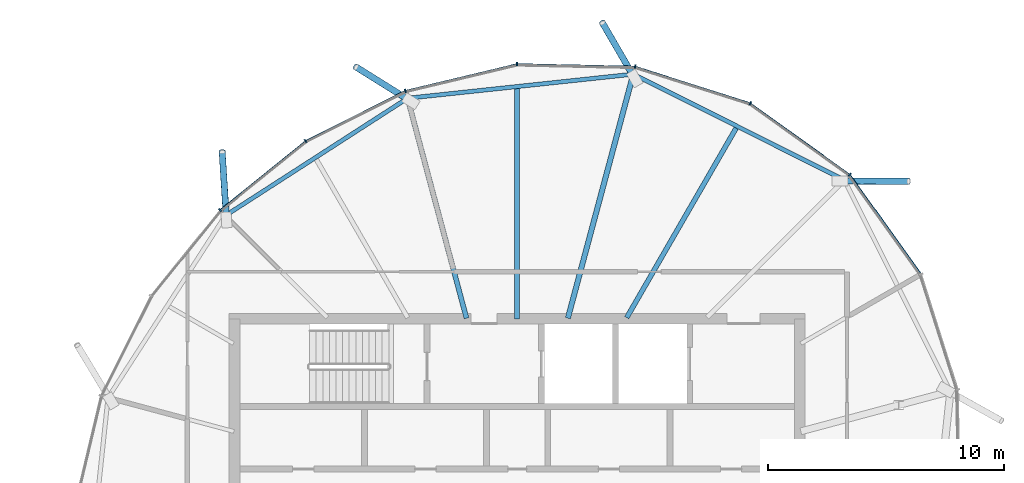
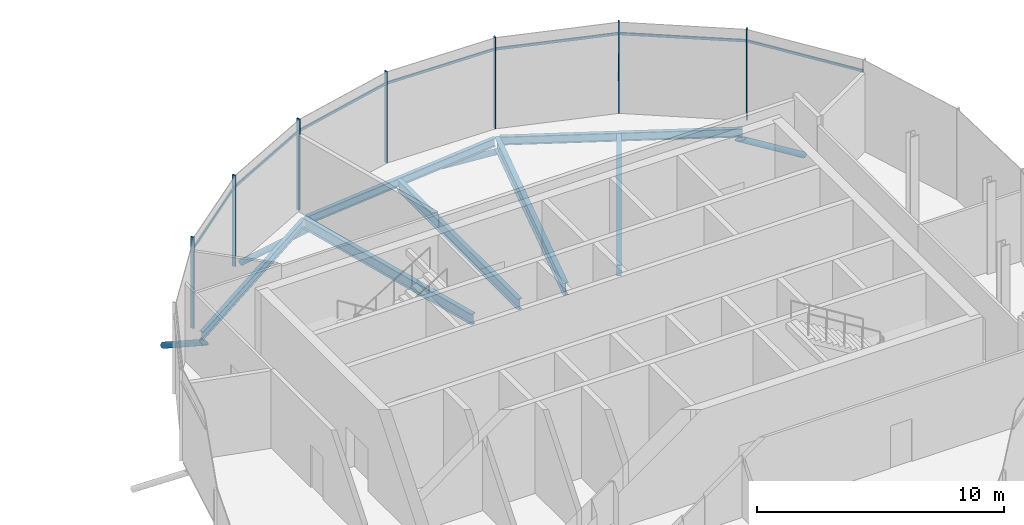
# One storey, part 13 of 31: 18 members, 7 beams, 1 element without a shape of its own.
"""IFC4 building model written with IfcOpenShell, lengths in metres."""

from ifc_helpers import new_model, si_unit, direction, frame, origin, origin_2d, place, context, subcontext, project, spatial, rectangle, hollow_circle, i_section, extrude, clip, halfspace, material, material_profile, profile_set, type_object, element, aggregate, save


model = new_model("IFC4")

# Units and contexts
model_context = context("Model", 3, precision=1e-05, world=origin(), true_north=direction((0.0, 1.0)))
body_context = subcontext(model_context, "Body", "Model", "MODEL_VIEW")
ifc_project = project(units=[si_unit("LENGTHUNIT", "METRE"), si_unit("AREAUNIT", "SQUARE_METRE"), si_unit("VOLUMEUNIT", "CUBIC_METRE"), si_unit("PLANEANGLEUNIT", "RADIAN"), si_unit("MASSUNIT", "GRAM", prefix="KILO")], contexts=[model_context])

# Site, building, storey
site_placement = place(None, origin())
site = spatial("IfcSite", under=ifc_project, at=site_placement, CompositionType="ELEMENT")
building_placement = place(site_placement, origin())
building = spatial("IfcBuilding", under=site, at=building_placement, Name="Rimbun Link Towers", CompositionType="ELEMENT")
storey_placement = place(building_placement, frame((0.0, 0.0, 263.10009765625)))
storey = spatial("IfcBuildingStorey", under=building, at=storey_placement, Name="L64", CompositionType="ELEMENT", Elevation=263.10009765625)

# Curtain wall, members
ifc_material_1 = material(Name="Aluminium 6063-T6 and low-iron glass", Category="aluminium")
curtain_wall_type = type_object("IfcCurtainWallType", Name="CW5 full height lobby wall", PredefinedType="NOTDEFINED", material=ifc_material_1)
curtain_wall_placement = place(storey_placement, origin())
curtain_wall = element("IfcCurtainWall", 1, at=curtain_wall_placement, inside=storey, type_object=curtain_wall_type, Name="CW5 L64 T2", PredefinedType="NOTDEFINED")
ifc_material_2 = material(Name="Aluminium 6063-T6", Category="aluminium")
ifc_material_profile_1 = material_profile(ifc_material_2, rectangle(XDim=0.14990234375, YDim=0.06005859375, at=origin_2d()), Name="MULLION 60X150")
ifc_profile_set_1 = profile_set([ifc_material_profile_1], Name="Aluminium 6063-T6")
member_type_1 = type_object("IfcMemberType", Name="CW5 mullion 60X150", PredefinedType="MULLION", material=ifc_profile_set_1)
member_1_placement = place(storey_placement, frame((41.64794921875, 17.152587890625, 0.0), z_axis=(0.0, 0.0, 1.0), x_axis=(0.448575303316, 0.893745040408, 0.0)))
member_1 = element("IfcMember", 2, at=member_1_placement, type_object=member_type_1, Name="CW5 mullion", PredefinedType="MULLION", context=body_context, shape_type="SweptSolid", body=[
    extrude(rectangle(XDim=0.14990234375, YDim=0.06005859375, at=origin_2d()), origin(), (0.0, 0.0, 1.0), 4.5),
])
member_2_placement = place(storey_placement, frame((45.87158203125, 14.12158203125, 0.0), z_axis=(0.0, 0.0, 1.0), x_axis=(0.707106781187, 0.707106781187, 0.0)))
member_2 = element("IfcMember", 3, at=member_2_placement, type_object=member_type_1, Name="CW5 mullion", PredefinedType="MULLION", context=body_context, shape_type="SweptSolid", body=[
    extrude(rectangle(XDim=0.14990234375, YDim=0.06005859375, at=origin_2d()), origin(), (0.0, 0.0, 1.0), 4.5),
])
member_3_placement = place(storey_placement, frame((36.75537109375, 18.708740234375, 0.0), z_axis=(0.0, 0.0, 1.0), x_axis=(0.16375079437, 0.986501737121, 0.0)))
member_3 = element("IfcMember", 4, at=member_3_placement, type_object=member_type_1, Name="CW5 mullion", PredefinedType="MULLION", context=body_context, shape_type="SweptSolid", body=[
    extrude(rectangle(XDim=0.14990234375, YDim=0.06005859375, at=origin_2d()), origin(), (0.0, 0.0, 1.0), 4.5),
])
member_4_placement = place(storey_placement, frame((31.741943359375, 18.814453125, 0.0), z_axis=(0.0, 0.0, 1.0), x_axis=(-0.106641931315, 0.994297489932, 0.0)))
member_4 = element("IfcMember", 5, at=member_4_placement, type_object=member_type_1, Name="CW5 mullion", PredefinedType="MULLION", context=body_context, shape_type="SweptSolid", body=[
    extrude(rectangle(XDim=0.14990234375, YDim=0.06005859375, at=origin_2d()), origin(), (0.0, 0.0, 1.0), 4.5),
])
member_5_placement = place(storey_placement, frame((27.00537109375, 17.681640625, 0.0), z_axis=(0.0, 0.0, 1.0), x_axis=(-0.34297460179, 0.93934467717, 0.0)))
member_5 = element("IfcMember", 6, at=member_5_placement, type_object=member_type_1, Name="CW5 mullion", PredefinedType="MULLION", context=body_context, shape_type="SweptSolid", body=[
    extrude(rectangle(XDim=0.14990234375, YDim=0.06005859375, at=origin_2d()), origin(), (0.0, 0.0, 1.0), 4.5),
])
member_6_placement = place(storey_placement, frame((22.766357421875, 15.552978515625, 0.0), z_axis=(0.0, 0.0, 1.0), x_axis=(-0.542095907354, 0.840316623202, 0.0)))
member_6 = element("IfcMember", 7, at=member_6_placement, type_object=member_type_1, Name="CW5 mullion", PredefinedType="MULLION", context=body_context, shape_type="SweptSolid", body=[
    extrude(rectangle(XDim=0.14990234375, YDim=0.06005859375, at=origin_2d()), origin(), (0.0, 0.0, 1.0), 4.5),
])
member_7_placement = place(storey_placement, frame((19.1357421875, 12.6142578125, 0.0), z_axis=(0.0, 0.0, 1.0), x_axis=(-0.707106781187, 0.707106781187, 0.0)))
member_7 = element("IfcMember", 8, at=member_7_placement, type_object=member_type_1, Name="CW5 mullion", PredefinedType="MULLION", context=body_context, shape_type="SweptSolid", body=[
    extrude(rectangle(XDim=0.14990234375, YDim=0.06005859375, at=origin_2d()), origin(), (0.0, 0.0, 1.0), 4.5),
])
ifc_material_3 = material(Name="Aluminium 6063-T6", Category="aluminium")
ifc_material_profile_2 = material_profile(ifc_material_3, rectangle(XDim=0.06005859375, YDim=0.1201171875, at=origin_2d()), Name="TRANSOM 60X120")
ifc_profile_set_2 = profile_set([ifc_material_profile_2], Name="Aluminium 6063-T6")
member_type_2 = type_object("IfcMemberType", Name="CW5 transom 60X120", PredefinedType="USERDEFINED", material=ifc_profile_set_2)
member_8_placement = place(storey_placement, frame((41.6748046875, 17.118408203125, 3.89990234375), z_axis=(0.812464030713, -0.583011319613, 0.0), x_axis=(0.583011319613, 0.812464030713, 0.0)))
member_8 = element("IfcMember", 9, at=member_8_placement, type_object=member_type_2, Name="CW5 transom", ObjectType="TRANSOM", PredefinedType="USERDEFINED", context=body_context, shape_type="SweptSolid", body=[
    extrude(rectangle(XDim=0.06005859375, YDim=0.1201171875, at=origin_2d()), origin(), (0.0, 0.0, 1.0), 5.11474609375),
])
member_9_placement = place(storey_placement, frame((36.79052734375, 18.6845703125, 3.89990234375), z_axis=(0.952966393856, -0.30307598417, 0.0), x_axis=(0.30307598417, 0.952966393856, 0.0)))
member_9 = element("IfcMember", 10, at=member_9_placement, type_object=member_type_2, Name="CW5 transom", ObjectType="TRANSOM", PredefinedType="USERDEFINED", context=body_context, shape_type="SweptSolid", body=[
    extrude(rectangle(XDim=0.06005859375, YDim=0.1201171875, at=origin_2d()), origin(), (0.0, 0.0, 1.0), 5.051513671875),
])
member_10_placement = place(storey_placement, frame((31.78125, 18.80126953125, 3.89990234375), z_axis=(0.999777830849, -0.021078162721, 0.0), x_axis=(0.021078162721, 0.999777830849, 0.0)))
member_10 = element("IfcMember", 11, at=member_10_placement, type_object=member_type_2, Name="CW5 transom", ObjectType="TRANSOM", PredefinedType="USERDEFINED", context=body_context, shape_type="SweptSolid", body=[
    extrude(rectangle(XDim=0.06005859375, YDim=0.1201171875, at=origin_2d()), origin(), (0.0, 0.0, 1.0), 4.93408203125),
])
member_11_placement = place(storey_placement, frame((27.0458984375, 17.678466796875, 3.89990234375), z_axis=(0.972564609537, 0.232632930334, 0.0), x_axis=(-0.232632930334, 0.972564609537, 0.0)))
member_11 = element("IfcMember", 12, at=member_11_placement, type_object=member_type_2, Name="CW5 transom", ObjectType="TRANSOM", PredefinedType="USERDEFINED", context=body_context, shape_type="SweptSolid", body=[
    extrude(rectangle(XDim=0.06005859375, YDim=0.1201171875, at=origin_2d()), origin(), (0.0, 0.0, 1.0), 4.791748046875),
])
member_12_placement = place(storey_placement, frame((22.805908203125, 15.558837890625, 3.89990234375), z_axis=(0.893641138393, 0.448782258753, 0.0), x_axis=(-0.448782258753, 0.893641138393, 0.0)))
member_12 = element("IfcMember", 13, at=member_12_placement, type_object=member_type_2, Name="CW5 transom", ObjectType="TRANSOM", PredefinedType="USERDEFINED", context=body_context, shape_type="SweptSolid", body=[
    extrude(rectangle(XDim=0.06005859375, YDim=0.1201171875, at=origin_2d()), origin(), (0.0, 0.0, 1.0), 4.6669921875),
])
member_13_placement = place(storey_placement, frame((19.173095703125, 12.62841796875, 3.89990234375), z_axis=(0.777284464263, 0.629149315834, 0.0), x_axis=(-0.629149315834, 0.777284464263, 0.0)))
member_13 = element("IfcMember", 14, at=member_13_placement, type_object=member_type_2, Name="CW5 transom", ObjectType="TRANSOM", PredefinedType="USERDEFINED", context=body_context, shape_type="SweptSolid", body=[
    extrude(rectangle(XDim=0.06005859375, YDim=0.1201171875, at=origin_2d()), origin(), (0.0, 0.0, 1.0), 4.594970703125),
])
member_14_placement = place(storey_placement, frame((45.886474609375, 14.080322265625, 3.89990234375), z_axis=(0.583011319613, -0.812464030713, 0.0), x_axis=(0.812464030713, 0.583011319613, 0.0)))
member_14 = element("IfcMember", 15, at=member_14_placement, type_object=member_type_2, Name="CW5 transom", ObjectType="TRANSOM", PredefinedType="USERDEFINED", context=body_context, shape_type="SweptSolid", body=[
    extrude(rectangle(XDim=0.06005859375, YDim=0.1201171875, at=origin_2d()), origin(), (0.0, 0.0, 1.0), 5.11474609375),
])
aggregate(curtain_wall, [member_1, member_2, member_3, member_4, member_5, member_6, member_7, member_8, member_9, member_10, member_11, member_12, member_13, member_14])

# Members
ifc_material_4 = material(Name="Steel S355J2H", Category="steel")
ifc_material_profile_3 = material_profile(ifc_material_4, hollow_circle(Radius=0.136474609375, WallThickness=0.012451171875, at=origin_2d()), Name="CHS 273x12.5")
ifc_profile_set_3 = profile_set([ifc_material_profile_3], Name="Steel S355J2H")
member_type_3 = type_object("IfcMemberType", Name="Floor edge link CHS 273x12.5", PredefinedType="BRACE", material=ifc_profile_set_3)
member_15_placement = place(storey_placement, frame((45.60400390625, 13.85400390625, -0.749755859375), z_axis=(0.852213506271, -0.005258722271, -0.523167741332), x_axis=(0.006170545428, 0.999980962003, 0.0)))
element("IfcMember", 16, at=member_15_placement, inside=storey, type_object=member_type_3, Name="Floor edge link T2 L64 00", PredefinedType="BRACE", context=body_context, shape_type="Clipping", body=[
    clip(extrude(hollow_circle(Radius=0.136474609375, WallThickness=0.012451171875, at=origin_2d()), frame((0.0, 0.0, -0.4638671875)), (0.0, 0.0, 1.0), 3.713623046875), halfspace(frame((0.0, 0.0, -0.218505859375), z_axis=(0.0, 0.852229731017, -0.523167741332)), False)),
])
member_16_placement = place(storey_placement, frame((36.66357421875, 18.337890625, -0.898193359375), z_axis=(-0.425991668315, 0.732867559034, -0.530505645061), x_axis=(-0.86455542927, -0.502537470961, 0.0)))
element("IfcMember", 17, at=member_16_placement, inside=storey, type_object=member_type_3, Name="Floor edge link T2 L64 02", PredefinedType="BRACE", context=body_context, shape_type="Clipping", body=[
    clip(extrude(hollow_circle(Radius=0.136474609375, WallThickness=0.012451171875, at=origin_2d()), frame((0.0, 0.0, -0.455078125)), (0.0, 0.0, 1.0), 3.531494140625), halfspace(frame((0.0, 0.0, -0.2138671875), z_axis=(0.0, 0.847681402744, -0.530505645061)), False)),
])
member_17_placement = place(storey_placement, frame((27.110107421875, 17.31640625, -0.828369140625), z_axis=(-0.716120141792, 0.447251079014, -0.535852978755), x_axis=(-0.529722952504, -0.848170733751, 0.0)))
element("IfcMember", 18, at=member_17_placement, inside=storey, type_object=member_type_3, Name="Floor edge link T2 L64 04", PredefinedType="BRACE", context=body_context, shape_type="Clipping", body=[
    clip(extrude(hollow_circle(Radius=0.136474609375, WallThickness=0.012451171875, at=origin_2d()), frame((0.0, 0.0, -0.44873046875)), (0.0, 0.0, 1.0), 3.556884765625), halfspace(frame((0.0, 0.0, -0.211181640625), z_axis=(0.0, 0.844311308203, -0.535852978755)), False)),
])
member_18_placement = place(storey_placement, frame((19.40185546875, 12.34814453125, -0.650390625), z_axis=(-0.053165375979, 0.843507727424, -0.534479332222), x_axis=(-0.99801957669, -0.062904090033, 0.0)))
element("IfcMember", 19, at=member_18_placement, inside=storey, type_object=member_type_3, Name="Floor edge link T2 L64 06", PredefinedType="BRACE", context=body_context, shape_type="Clipping", body=[
    clip(extrude(hollow_circle(Radius=0.136474609375, WallThickness=0.012451171875, at=origin_2d()), frame((0.0, 0.0, -0.450439453125)), (0.0, 0.0, 1.0), 3.733642578125), halfspace(frame((0.0, 0.0, -0.2119140625), z_axis=(0.0, 0.845181544656, -0.534479332222)), False)),
])

# Beams
ifc_material_5 = material(Name="Steel S355J2", Category="steel")
ifc_material_profile_4 = material_profile(ifc_material_5, i_section(OverallWidth=0.177978515625, OverallDepth=0.406494140625, WebThickness=0.0078125, FlangeThickness=0.0126953125, at=origin_2d()), Name="UB 406x178x60")
ifc_profile_set_4 = profile_set([ifc_material_profile_4], Name="Steel S355J2")
beam_type_1 = type_object("IfcBeamType", Name="UB 406x178x60", PredefinedType="BEAM", material=ifc_profile_set_4)
beam_1_placement = place(storey_placement, frame((45.549072265625, 13.934814453125, -0.38330078125), z_axis=(-0.893824075847, 0.448417797859, 0.0), x_axis=(-0.448417797859, -0.893824075847, 0.0)))
element("IfcBeam", 20, at=beam_1_placement, inside=storey, type_object=beam_type_1, Name="Edge beam T2 L64 00-02", PredefinedType="BEAM", context=body_context, shape_type="SweptSolid", body=[
    extrude(i_section(OverallWidth=0.177978515625, OverallDepth=0.406494140625, WebThickness=0.0078125, FlangeThickness=0.0126953125, at=origin_2d()), origin(), (0.0, 0.0, 1.0), 9.809326171875),
])
beam_2_placement = place(storey_placement, frame((36.55419921875, 18.373046875, -0.38330078125), z_axis=(-0.994362850865, -0.106030754124, 0.0), x_axis=(0.106030754124, -0.994362850865, 0.0)))
element("IfcBeam", 21, at=beam_2_placement, inside=storey, type_object=beam_type_1, Name="Edge beam T2 L64 02-04", PredefinedType="BEAM", context=body_context, shape_type="SweptSolid", body=[
    extrude(i_section(OverallWidth=0.177978515625, OverallDepth=0.406494140625, WebThickness=0.0078125, FlangeThickness=0.0126953125, at=origin_2d()), origin(), (0.0, 0.0, 1.0), 9.403564453125),
])
beam_3_placement = place(storey_placement, frame((27.00390625, 17.3046875, -0.38330078125), z_axis=(-0.840615513906, -0.541632308657, 0.0), x_axis=(0.541632308657, -0.840615513906, 0.0)))
element("IfcBeam", 22, at=beam_3_placement, inside=storey, type_object=beam_type_1, Name="Edge beam T2 L64 04-06", PredefinedType="BEAM", context=body_context, shape_type="SweptSolid", body=[
    extrude(i_section(OverallWidth=0.177978515625, OverallDepth=0.406494140625, WebThickness=0.0078125, FlangeThickness=0.0126953125, at=origin_2d()), origin(), (0.0, 0.0, 1.0), 8.9970703125),
])
ifc_material_6 = material(Name="Steel S355J2", Category="steel")
ifc_material_profile_5 = material_profile(ifc_material_6, i_section(OverallWidth=0.209228515625, OverallDepth=0.533203125, WebThickness=0.010009765625, FlangeThickness=0.015625, at=origin_2d()), Name="UB 533x210x92")
ifc_profile_set_5 = profile_set([ifc_material_profile_5], Name="Steel S355J2")
beam_type_2 = type_object("IfcBeamType", Name="UB 533x210x92", PredefinedType="BEAM", material=ifc_profile_set_5)
beam_4_placement = place(storey_placement, frame((36.3994140625, 8.05322265625, -0.446533203125), z_axis=(0.500001619514, 0.866024468756, 0.0), x_axis=(-0.866024468756, 0.500001619514, 0.0)))
element("IfcBeam", 23, at=beam_4_placement, inside=storey, type_object=beam_type_2, Name="Radial beam T2 L64 01", PredefinedType="BEAM", context=body_context, shape_type="SweptSolid", body=[
    extrude(i_section(OverallWidth=0.209228515625, OverallDepth=0.533203125, WebThickness=0.010009765625, FlangeThickness=0.015625, at=origin_2d()), origin(), (0.0, 0.0, 1.0), 9.2861328125),
])
beam_5_placement = place(storey_placement, frame((31.75, 8.0009765625, -0.446533203125), z_axis=(0.0, 1.0, 0.0), x_axis=(-1.0, 0.0, 0.0)))
element("IfcBeam", 24, at=beam_5_placement, inside=storey, type_object=beam_type_2, Name="Radial beam T2 L64 03", PredefinedType="BEAM", context=body_context, shape_type="SweptSolid", body=[
    extrude(i_section(OverallWidth=0.209228515625, OverallDepth=0.533203125, WebThickness=0.010009765625, FlangeThickness=0.015625, at=origin_2d()), origin(), (0.0, 0.0, 1.0), 9.769287109375),
])
beam_6_placement = place(storey_placement, frame((29.598876953125, 8.028076171875, -0.446533203125), z_axis=(-0.258814780511, 0.965926968973, 0.0), x_axis=(-0.965926968973, -0.258814780511, 0.0)))
element("IfcBeam", 25, at=beam_6_placement, inside=storey, type_object=beam_type_2, Name="Radial beam T2 L64 04", PredefinedType="BEAM", context=body_context, shape_type="SweptSolid", body=[
    extrude(i_section(OverallWidth=0.209228515625, OverallDepth=0.533203125, WebThickness=0.010009765625, FlangeThickness=0.015625, at=origin_2d()), origin(), (0.0, 0.0, 1.0), 9.666015625),
])
ifc_material_7 = material(Name="Steel S355J2", Category="steel")
ifc_material_profile_6 = material_profile(ifc_material_7, i_section(OverallWidth=0.2275390625, OverallDepth=0.6025390625, WebThickness=0.010498046875, FlangeThickness=0.014892578125, at=origin_2d()), Name="UB 610x229x101")
ifc_profile_set_6 = profile_set([ifc_material_profile_6], Name="Steel S355J2")
beam_type_3 = type_object("IfcBeamType", Name="UB 610x229x101", PredefinedType="BEAM", material=ifc_profile_set_6)
beam_7_placement = place(storey_placement, frame((33.901611328125, 8.030517578125, -0.4814453125), z_axis=(0.258833218043, 0.96592202855, 0.0), x_axis=(-0.96592202855, 0.258833218043, 0.0)))
element("IfcBeam", 26, at=beam_7_placement, inside=storey, type_object=beam_type_3, Name="Radial beam T2 L64 02", PredefinedType="BEAM", context=body_context, shape_type="SweptSolid", body=[
    extrude(i_section(OverallWidth=0.2275390625, OverallDepth=0.6025390625, WebThickness=0.010498046875, FlangeThickness=0.014892578125, at=origin_2d()), origin(), (0.0, 0.0, 1.0), 10.720703125),
])

save(model, "model.ifc")
